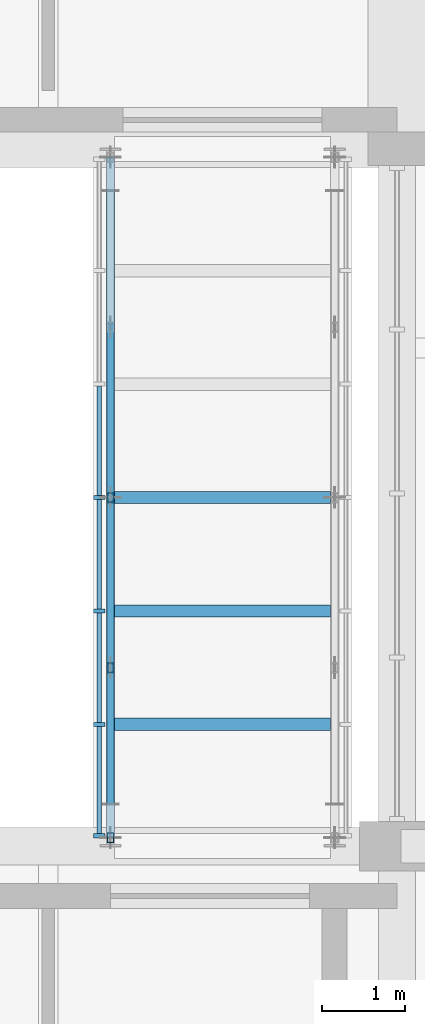
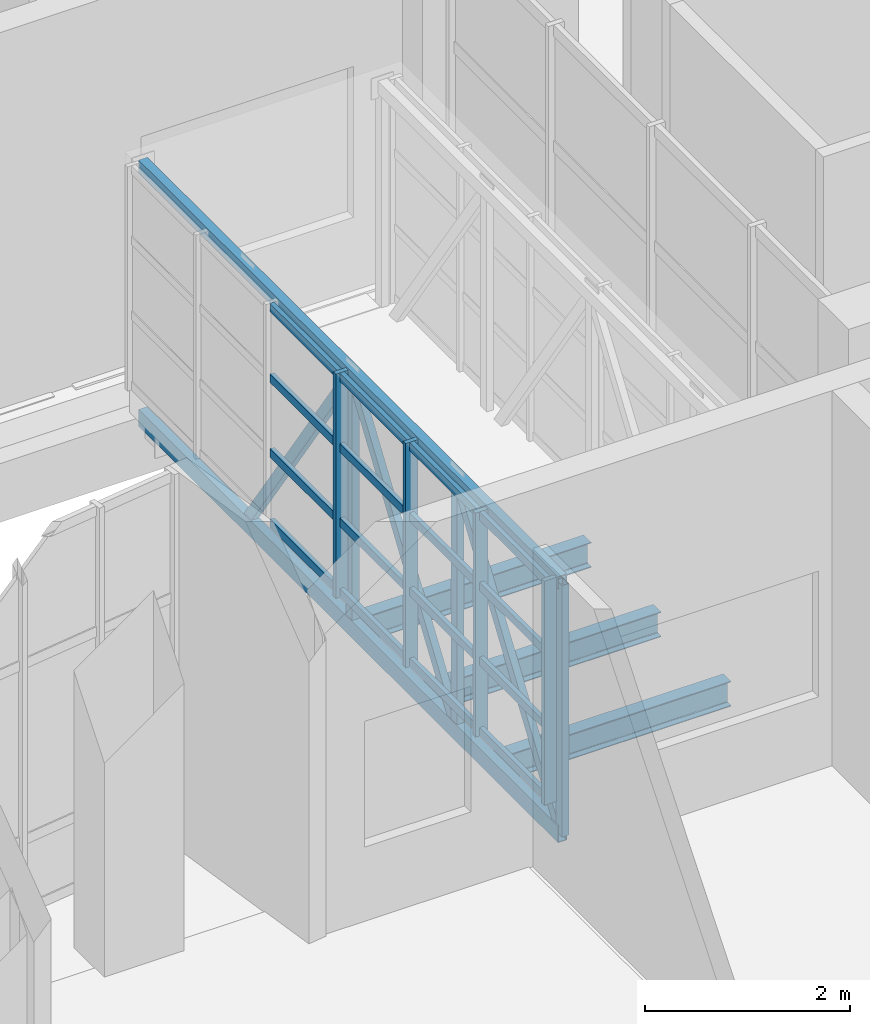
# One storey, part 5 of 67: 28 members, 3 beams, 1 element without a shape of its own.
"""IFC4 building model written with IfcOpenShell, lengths in metres."""

from ifc_helpers import new_model, si_unit, direction, frame, origin, origin_2d, place, context, subcontext, project, spatial, rectangle, hollow_rectangle, i_section, extrude, material, layer, layer_set, material_profile, profile_set, type_object, element, aggregate, save


model = new_model("IFC4")

# Units and contexts
model_context = context("Model", 3, precision=1e-05, world=origin(), true_north=direction((0.0, 1.0)))
body_context = subcontext(model_context, "Body", "Model", "MODEL_VIEW")
ifc_project = project(units=[si_unit("LENGTHUNIT", "METRE"), si_unit("AREAUNIT", "SQUARE_METRE"), si_unit("VOLUMEUNIT", "CUBIC_METRE"), si_unit("PLANEANGLEUNIT", "RADIAN"), si_unit("MASSUNIT", "GRAM", prefix="KILO")], contexts=[model_context])

# Site, building, storey
site_placement = place(None, origin())
site = spatial("IfcSite", under=ifc_project, at=site_placement, CompositionType="ELEMENT")
building_placement = place(site_placement, origin())
building = spatial("IfcBuilding", under=site, at=building_placement, Name="Kiln Court Media Centre", CompositionType="ELEMENT")
storey_placement = place(building_placement, frame((0.0, 0.0, 19.800048828125)))
storey = spatial("IfcBuildingStorey", under=building, at=storey_placement, Name="L04", CompositionType="ELEMENT", Elevation=19.800048828125)

# Curtain wall, members
ifc_material_1 = material(Name="Aluminium 6063-T6", Category="aluminium")
ifc_layer = layer(ifc_material_1, 0.1201171875)
ifc_layer_set = layer_set([ifc_layer], Name="Aluminium unitised curtain wall, bridge")
curtain_wall_type = type_object("IfcCurtainWallType", Name="Aluminium unitised curtain wall, bridge", PredefinedType="USERDEFINED", material=ifc_layer_set)
curtain_wall_placement = place(storey_placement, origin())
curtain_wall = element("IfcCurtainWall", 1, at=curtain_wall_placement, inside=storey, type_object=curtain_wall_type, Name="BR-2 side glazing", ObjectType="UNITISED CURTAIN WALL", PredefinedType="USERDEFINED")
ifc_material_2 = material(Name="Aluminium 6063-T6", Category="aluminium")
ifc_material_profile_1 = material_profile(ifc_material_2, rectangle(XDim=0.050048828125, YDim=0.139892578125, at=origin_2d()), Name="Aluminium hall mullion 50x140")
ifc_profile_set_1 = profile_set([ifc_material_profile_1], Name="Aluminium 6063-T6")
member_type_1 = type_object("IfcMemberType", Name="Aluminium hall mullion 50x140", PredefinedType="MULLION", material=ifc_profile_set_1)
member_1_placement = place(storey_placement, frame((30.014892578125, 25.324951171875, 0.0), z_axis=(0.0, 0.0, 1.0), x_axis=(0.0, 1.0, 0.0)))
member_1 = element("IfcMember", 2, at=member_1_placement, type_object=member_type_1, Name="CW4-65 mullion 1", PredefinedType="MULLION", context=body_context, shape_type="SweptSolid", body=[
    extrude(rectangle(XDim=0.050048828125, YDim=0.139892578125, at=origin_2d()), origin(), (0.0, 0.0, 1.0), 2.675048828125),
])
member_2_placement = place(storey_placement, frame((30.014892578125, 26.666748046875, 0.0), z_axis=(0.0, 0.0, 1.0), x_axis=(0.0, 1.0, 0.0)))
member_2 = element("IfcMember", 3, at=member_2_placement, type_object=member_type_1, Name="CW4-65 mullion 2", PredefinedType="MULLION", context=body_context, shape_type="SweptSolid", body=[
    extrude(rectangle(XDim=0.050048828125, YDim=0.139892578125, at=origin_2d()), origin(), (0.0, 0.0, 1.0), 2.675048828125),
])
member_3_placement = place(storey_placement, frame((30.014892578125, 28.033447265625, 0.0), z_axis=(0.0, 0.0, 1.0), x_axis=(0.0, 1.0, 0.0)))
member_3 = element("IfcMember", 4, at=member_3_placement, type_object=member_type_1, Name="CW4-65 mullion 3", PredefinedType="MULLION", context=body_context, shape_type="SweptSolid", body=[
    extrude(rectangle(XDim=0.050048828125, YDim=0.139892578125, at=origin_2d()), origin(), (0.0, 0.0, 1.0), 2.675048828125),
])
member_4_placement = place(storey_placement, frame((30.014892578125, 29.39990234375, 0.0), z_axis=(0.0, 0.0, 1.0), x_axis=(0.0, 1.0, 0.0)))
member_4 = element("IfcMember", 5, at=member_4_placement, type_object=member_type_1, Name="CW4-65 mullion 4", PredefinedType="MULLION", context=body_context, shape_type="SweptSolid", body=[
    extrude(rectangle(XDim=0.050048828125, YDim=0.139892578125, at=origin_2d()), origin(), (0.0, 0.0, 1.0), 2.675048828125),
])
ifc_material_3 = material(Name="Aluminium 6063-T6", Category="aluminium")
ifc_material_profile_2 = material_profile(ifc_material_3, rectangle(XDim=0.050048828125, YDim=0.10009765625, at=origin_2d()), Name="Aluminium hall transom 50x100")
ifc_profile_set_2 = profile_set([ifc_material_profile_2], Name="Aluminium 6063-T6")
member_type_2 = type_object("IfcMemberType", Name="Aluminium hall transom 50x100", PredefinedType="USERDEFINED", material=ifc_profile_set_2)
member_5_placement = place(storey_placement, frame((30.014892578125, 25.35009765625, 0.050048828125), z_axis=(0.0, 1.0, 0.0), x_axis=(-1.0, 0.0, 0.0)))
member_5 = element("IfcMember", 6, at=member_5_placement, type_object=member_type_2, Name="CW4-65 transom 1.1", ObjectType="TRANSOM", PredefinedType="USERDEFINED", context=body_context, shape_type="SweptSolid", body=[
    extrude(rectangle(XDim=0.050048828125, YDim=0.10009765625, at=origin_2d()), origin(), (0.0, 0.0, 1.0), 1.29150390625),
])
member_6_placement = place(storey_placement, frame((30.014892578125, 25.35009765625, 0.8916015625), z_axis=(0.0, 1.0, 0.0), x_axis=(-1.0, 0.0, 0.0)))
member_6 = element("IfcMember", 7, at=member_6_placement, type_object=member_type_2, Name="CW4-65 transom 1.2", ObjectType="TRANSOM", PredefinedType="USERDEFINED", context=body_context, shape_type="SweptSolid", body=[
    extrude(rectangle(XDim=0.050048828125, YDim=0.10009765625, at=origin_2d()), origin(), (0.0, 0.0, 1.0), 1.29150390625),
])
member_7_placement = place(storey_placement, frame((30.014892578125, 25.35009765625, 1.783203125), z_axis=(0.0, 1.0, 0.0), x_axis=(-1.0, 0.0, 0.0)))
member_7 = element("IfcMember", 8, at=member_7_placement, type_object=member_type_2, Name="CW4-65 transom 1.3", ObjectType="TRANSOM", PredefinedType="USERDEFINED", context=body_context, shape_type="SweptSolid", body=[
    extrude(rectangle(XDim=0.050048828125, YDim=0.10009765625, at=origin_2d()), origin(), (0.0, 0.0, 1.0), 1.29150390625),
])
member_8_placement = place(storey_placement, frame((30.014892578125, 25.35009765625, 2.625), z_axis=(0.0, 1.0, 0.0), x_axis=(-1.0, 0.0, 0.0)))
member_8 = element("IfcMember", 9, at=member_8_placement, type_object=member_type_2, Name="CW4-65 transom 1.4", ObjectType="TRANSOM", PredefinedType="USERDEFINED", context=body_context, shape_type="SweptSolid", body=[
    extrude(rectangle(XDim=0.050048828125, YDim=0.10009765625, at=origin_2d()), origin(), (0.0, 0.0, 1.0), 1.29150390625),
])
member_9_placement = place(storey_placement, frame((30.014892578125, 26.691650390625, 0.050048828125), z_axis=(0.0, 1.0, 0.0), x_axis=(-1.0, 0.0, 0.0)))
member_9 = element("IfcMember", 10, at=member_9_placement, type_object=member_type_2, Name="CW4-65 transom 2.1", ObjectType="TRANSOM", PredefinedType="USERDEFINED", context=body_context, shape_type="SweptSolid", body=[
    extrude(rectangle(XDim=0.050048828125, YDim=0.10009765625, at=origin_2d()), origin(), (0.0, 0.0, 1.0), 1.316650390625),
])
member_10_placement = place(storey_placement, frame((30.014892578125, 26.691650390625, 0.8916015625), z_axis=(0.0, 1.0, 0.0), x_axis=(-1.0, 0.0, 0.0)))
member_10 = element("IfcMember", 11, at=member_10_placement, type_object=member_type_2, Name="CW4-65 transom 2.2", ObjectType="TRANSOM", PredefinedType="USERDEFINED", context=body_context, shape_type="SweptSolid", body=[
    extrude(rectangle(XDim=0.050048828125, YDim=0.10009765625, at=origin_2d()), origin(), (0.0, 0.0, 1.0), 1.316650390625),
])
member_11_placement = place(storey_placement, frame((30.014892578125, 26.691650390625, 1.783203125), z_axis=(0.0, 1.0, 0.0), x_axis=(-1.0, 0.0, 0.0)))
member_11 = element("IfcMember", 12, at=member_11_placement, type_object=member_type_2, Name="CW4-65 transom 2.3", ObjectType="TRANSOM", PredefinedType="USERDEFINED", context=body_context, shape_type="SweptSolid", body=[
    extrude(rectangle(XDim=0.050048828125, YDim=0.10009765625, at=origin_2d()), origin(), (0.0, 0.0, 1.0), 1.316650390625),
])
member_12_placement = place(storey_placement, frame((30.014892578125, 26.691650390625, 2.625), z_axis=(0.0, 1.0, 0.0), x_axis=(-1.0, 0.0, 0.0)))
member_12 = element("IfcMember", 13, at=member_12_placement, type_object=member_type_2, Name="CW4-65 transom 2.4", ObjectType="TRANSOM", PredefinedType="USERDEFINED", context=body_context, shape_type="SweptSolid", body=[
    extrude(rectangle(XDim=0.050048828125, YDim=0.10009765625, at=origin_2d()), origin(), (0.0, 0.0, 1.0), 1.316650390625),
])
member_13_placement = place(storey_placement, frame((30.014892578125, 28.058349609375, 0.050048828125), z_axis=(0.0, 1.0, 0.0), x_axis=(-1.0, 0.0, 0.0)))
member_13 = element("IfcMember", 14, at=member_13_placement, type_object=member_type_2, Name="CW4-65 transom 3.1", ObjectType="TRANSOM", PredefinedType="USERDEFINED", context=body_context, shape_type="SweptSolid", body=[
    extrude(rectangle(XDim=0.050048828125, YDim=0.10009765625, at=origin_2d()), origin(), (0.0, 0.0, 1.0), 1.316650390625),
])
member_14_placement = place(storey_placement, frame((30.014892578125, 28.058349609375, 0.8916015625), z_axis=(0.0, 1.0, 0.0), x_axis=(-1.0, 0.0, 0.0)))
member_14 = element("IfcMember", 15, at=member_14_placement, type_object=member_type_2, Name="CW4-65 transom 3.2", ObjectType="TRANSOM", PredefinedType="USERDEFINED", context=body_context, shape_type="SweptSolid", body=[
    extrude(rectangle(XDim=0.050048828125, YDim=0.10009765625, at=origin_2d()), origin(), (0.0, 0.0, 1.0), 1.316650390625),
])
member_15_placement = place(storey_placement, frame((30.014892578125, 28.058349609375, 1.783203125), z_axis=(0.0, 1.0, 0.0), x_axis=(-1.0, 0.0, 0.0)))
member_15 = element("IfcMember", 16, at=member_15_placement, type_object=member_type_2, Name="CW4-65 transom 3.3", ObjectType="TRANSOM", PredefinedType="USERDEFINED", context=body_context, shape_type="SweptSolid", body=[
    extrude(rectangle(XDim=0.050048828125, YDim=0.10009765625, at=origin_2d()), origin(), (0.0, 0.0, 1.0), 1.316650390625),
])
member_16_placement = place(storey_placement, frame((30.014892578125, 28.058349609375, 2.625), z_axis=(0.0, 1.0, 0.0), x_axis=(-1.0, 0.0, 0.0)))
member_16 = element("IfcMember", 17, at=member_16_placement, type_object=member_type_2, Name="CW4-65 transom 3.4", ObjectType="TRANSOM", PredefinedType="USERDEFINED", context=body_context, shape_type="SweptSolid", body=[
    extrude(rectangle(XDim=0.050048828125, YDim=0.10009765625, at=origin_2d()), origin(), (0.0, 0.0, 1.0), 1.316650390625),
])
member_17_placement = place(storey_placement, frame((30.014892578125, 29.425048828125, 0.050048828125), z_axis=(0.0, 1.0, 0.0), x_axis=(-1.0, 0.0, 0.0)))
member_17 = element("IfcMember", 18, at=member_17_placement, type_object=member_type_2, Name="CW4-65 transom 4.1", ObjectType="TRANSOM", PredefinedType="USERDEFINED", context=body_context, shape_type="SweptSolid", body=[
    extrude(rectangle(XDim=0.050048828125, YDim=0.10009765625, at=origin_2d()), origin(), (0.0, 0.0, 1.0), 1.316650390625),
])
member_18_placement = place(storey_placement, frame((30.014892578125, 29.425048828125, 0.8916015625), z_axis=(0.0, 1.0, 0.0), x_axis=(-1.0, 0.0, 0.0)))
member_18 = element("IfcMember", 19, at=member_18_placement, type_object=member_type_2, Name="CW4-65 transom 4.2", ObjectType="TRANSOM", PredefinedType="USERDEFINED", context=body_context, shape_type="SweptSolid", body=[
    extrude(rectangle(XDim=0.050048828125, YDim=0.10009765625, at=origin_2d()), origin(), (0.0, 0.0, 1.0), 1.316650390625),
])
member_19_placement = place(storey_placement, frame((30.014892578125, 29.425048828125, 1.783203125), z_axis=(0.0, 1.0, 0.0), x_axis=(-1.0, 0.0, 0.0)))
member_19 = element("IfcMember", 20, at=member_19_placement, type_object=member_type_2, Name="CW4-65 transom 4.3", ObjectType="TRANSOM", PredefinedType="USERDEFINED", context=body_context, shape_type="SweptSolid", body=[
    extrude(rectangle(XDim=0.050048828125, YDim=0.10009765625, at=origin_2d()), origin(), (0.0, 0.0, 1.0), 1.316650390625),
])
member_20_placement = place(storey_placement, frame((30.014892578125, 29.425048828125, 2.625), z_axis=(0.0, 1.0, 0.0), x_axis=(-1.0, 0.0, 0.0)))
member_20 = element("IfcMember", 21, at=member_20_placement, type_object=member_type_2, Name="CW4-65 transom 4.4", ObjectType="TRANSOM", PredefinedType="USERDEFINED", context=body_context, shape_type="SweptSolid", body=[
    extrude(rectangle(XDim=0.050048828125, YDim=0.10009765625, at=origin_2d()), origin(), (0.0, 0.0, 1.0), 1.316650390625),
])
aggregate(curtain_wall, [member_1, member_2, member_3, member_4, member_5, member_6, member_7, member_8, member_9, member_10, member_11, member_12, member_13, member_14, member_15, member_16, member_17, member_18, member_19, member_20])

# Members
ifc_material_4 = material(Name="Steel ASTM A500 Gr C", Category="steel")
ifc_material_profile_3 = material_profile(ifc_material_4, hollow_rectangle(XDim=0.080078125, YDim=0.1201171875, WallThickness=0.00634765625, at=origin_2d()), Name="RHS 120x80x6.3")
ifc_profile_set_3 = profile_set([ifc_material_profile_3], Name="Steel ASTM A500 Gr C")
member_type_3 = type_object("IfcMemberType", Name="Steel ASTM A500 Gr C RHS 120x80x6.3 bridge truss web", PredefinedType="BRACE", material=ifc_profile_set_3)
for number, where, z_axis, x_axis, name in (
    (22, (30.14990234375, 25.300048828125, -0.400146484375), (0.0, 0.0, 1.0), (1.0, 0.0, 0.0), "bridge BR-2 side truss 1 post 1 bridge truss web"),
    (23, (30.14990234375, 27.35009765625, -0.400146484375), (0.0, 0.0, 1.0), (1.0, 0.0, 0.0), "bridge BR-2 side truss 1 post 2 bridge truss web"),
    (24, (30.14990234375, 29.39990234375, -0.400146484375), (0.0, 0.0, 1.0), (1.0, 0.0, 0.0), "bridge BR-2 side truss 1 post 3 bridge truss web"),
):
    element("IfcMember", number, at=place(storey_placement, frame(where, z_axis=z_axis, x_axis=x_axis)), inside=storey, type_object=member_type_3, Name=name, PredefinedType="BRACE", context=body_context, shape_type="SweptSolid", body=[
        extrude(hollow_rectangle(XDim=0.080078125, YDim=0.1201171875, WallThickness=0.00634765625, at=origin_2d()), origin(), (0.0, 0.0, 1.0), 3.0),
    ])
member_21_placement = place(storey_placement, frame((30.14990234375, 25.300048828125, -0.400146484375), z_axis=(0.0, 0.564199665614, 0.825638381691), x_axis=(-1.0, 0.0, 0.0)))
element("IfcMember", 25, at=member_21_placement, inside=storey, type_object=member_type_3, Name="bridge BR-2 side truss 1 diagonal 1 bridge truss web", PredefinedType="BRACE", context=body_context, shape_type="SweptSolid", body=[
    extrude(hollow_rectangle(XDim=0.080078125, YDim=0.1201171875, WallThickness=0.00634765625, at=origin_2d()), origin(), (0.0, 0.0, 1.0), 3.633544921875),
])
member_22_placement = place(storey_placement, frame((30.14990234375, 27.35009765625, -0.400146484375), z_axis=(0.0, 0.56415386059, 0.825669680672), x_axis=(-1.0, 0.0, 0.0)))
element("IfcMember", 26, at=member_22_placement, inside=storey, type_object=member_type_3, Name="bridge BR-2 side truss 1 diagonal 2 bridge truss web", PredefinedType="BRACE", context=body_context, shape_type="SweptSolid", body=[
    extrude(hollow_rectangle(XDim=0.080078125, YDim=0.1201171875, WallThickness=0.00634765625, at=origin_2d()), origin(), (0.0, 0.0, 1.0), 3.63330078125),
])
member_23_placement = place(storey_placement, frame((30.14990234375, 29.39990234375, 2.599853515625), z_axis=(0.0, 0.564199665614, -0.825638381691), x_axis=(-1.0, 0.0, 0.0)))
element("IfcMember", 27, at=member_23_placement, inside=storey, type_object=member_type_3, Name="bridge BR-2 side truss 1 diagonal 3 bridge truss web", PredefinedType="BRACE", context=body_context, shape_type="SweptSolid", body=[
    extrude(hollow_rectangle(XDim=0.080078125, YDim=0.1201171875, WallThickness=0.00634765625, at=origin_2d()), origin(), (0.0, 0.0, 1.0), 3.633544921875),
])
ifc_material_5 = material(Name="Steel ASTM A500 Gr C", Category="steel")
ifc_material_profile_4 = material_profile(ifc_material_5, hollow_rectangle(XDim=0.10009765625, YDim=0.14990234375, WallThickness=0.008056640625, at=origin_2d()), Name="RHS 150x100x8.0")
ifc_profile_set_4 = profile_set([ifc_material_profile_4], Name="Steel ASTM A500 Gr C")
member_type_4 = type_object("IfcMemberType", Name="Steel ASTM A500 Gr C RHS 150x100x8.0 bridge truss chord", PredefinedType="CHORD", material=ifc_profile_set_4)
member_24_placement = place(storey_placement, frame((30.14990234375, 25.300048828125, 2.599853515625), z_axis=(0.0, 1.0, 0.0), x_axis=(-1.0, 0.0, 0.0)))
element("IfcMember", 28, at=member_24_placement, inside=storey, type_object=member_type_4, Name="bridge BR-2 side truss 1 top chord bridge truss chord", PredefinedType="CHORD", context=body_context, shape_type="SweptSolid", body=[
    extrude(hollow_rectangle(XDim=0.10009765625, YDim=0.14990234375, WallThickness=0.008056640625, at=origin_2d()), origin(), (0.0, 0.0, 1.0), 8.199951171875),
])
ifc_material_6 = material(Name="Steel ASTM A500 Gr C", Category="steel")
ifc_material_profile_5 = material_profile(ifc_material_6, hollow_rectangle(XDim=0.10009765625, YDim=0.199951171875, WallThickness=0.008056640625, at=origin_2d()), Name="RHS 200x100x8.0")
ifc_profile_set_5 = profile_set([ifc_material_profile_5], Name="Steel ASTM A500 Gr C")
member_type_5 = type_object("IfcMemberType", Name="Steel ASTM A500 Gr C RHS 200x100x8.0 bridge truss chord", PredefinedType="CHORD", material=ifc_profile_set_5)
member_25_placement = place(storey_placement, frame((30.14990234375, 25.300048828125, -0.400146484375), z_axis=(0.0, 1.0, 0.0), x_axis=(-1.0, 0.0, 0.0)))
element("IfcMember", 29, at=member_25_placement, inside=storey, type_object=member_type_5, Name="bridge BR-2 side truss 1 bottom chord bridge truss chord", PredefinedType="CHORD", context=body_context, shape_type="SweptSolid", body=[
    extrude(hollow_rectangle(XDim=0.10009765625, YDim=0.199951171875, WallThickness=0.008056640625, at=origin_2d()), origin(), (0.0, 0.0, 1.0), 8.199951171875),
])

# Beams
ifc_material_7 = material(Name="Steel ASTM A572 Gr 50", Category="steel")
ifc_material_profile_6 = material_profile(ifc_material_7, i_section(OverallWidth=0.14990234375, OverallDepth=0.300048828125, WebThickness=0.007080078125, FlangeThickness=0.0107421875, FilletRadius=0.014892578125, at=origin_2d()), Name="IPE 300")
ifc_profile_set_6 = profile_set([ifc_material_profile_6], Name="Steel ASTM A572 Gr 50")
beam_type = type_object("IfcBeamType", Name="Steel ASTM A572 Gr 50 IPE 300 bridge floor beam", PredefinedType="BEAM", material=ifc_profile_set_6)
for number, where, z_axis, x_axis, name in (
    (30, (30.199951171875, 26.666748046875, -0.449951171875), (1.0, 0.0, 0.0), (0.0, 1.0, 0.0), "bridge BR-2 floor beam 1 bridge floor beam"),
    (31, (30.199951171875, 28.033203125, -0.449951171875), (1.0, 0.0, 0.0), (0.0, 1.0, 0.0), "bridge BR-2 floor beam 2 bridge floor beam"),
    (32, (30.199951171875, 29.39990234375, -0.449951171875), (1.0, 0.0, 0.0), (0.0, 1.0, 0.0), "bridge BR-2 floor beam 3 bridge floor beam"),
):
    element("IfcBeam", number, at=place(storey_placement, frame(where, z_axis=z_axis, x_axis=x_axis)), inside=storey, type_object=beam_type, Name=name, PredefinedType="BEAM", context=body_context, shape_type="SweptSolid", body=[
        extrude(i_section(OverallWidth=0.14990234375, OverallDepth=0.300048828125, WebThickness=0.007080078125, FlangeThickness=0.0107421875, FilletRadius=0.014892578125, at=origin_2d()), origin(), (0.0, 0.0, 1.0), 2.60009765625),
    ])

save(model, "model.ifc")
